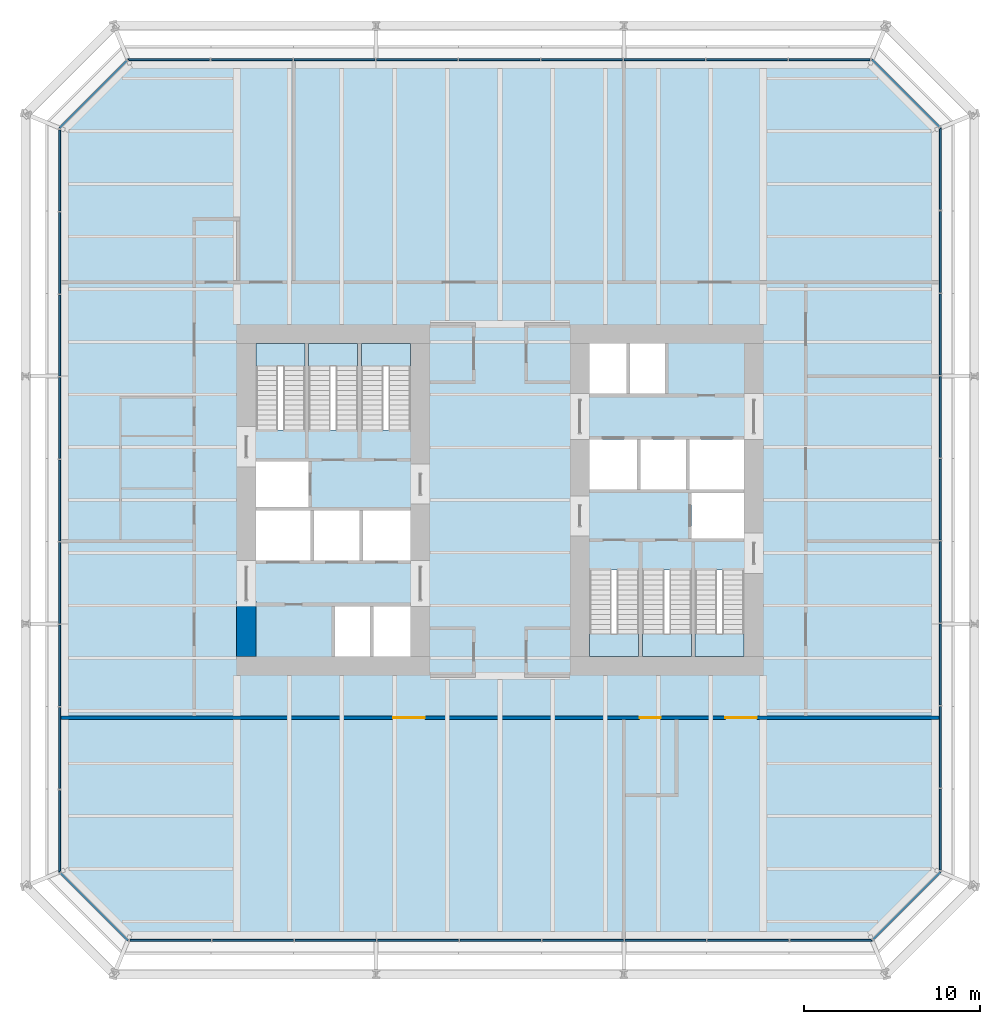
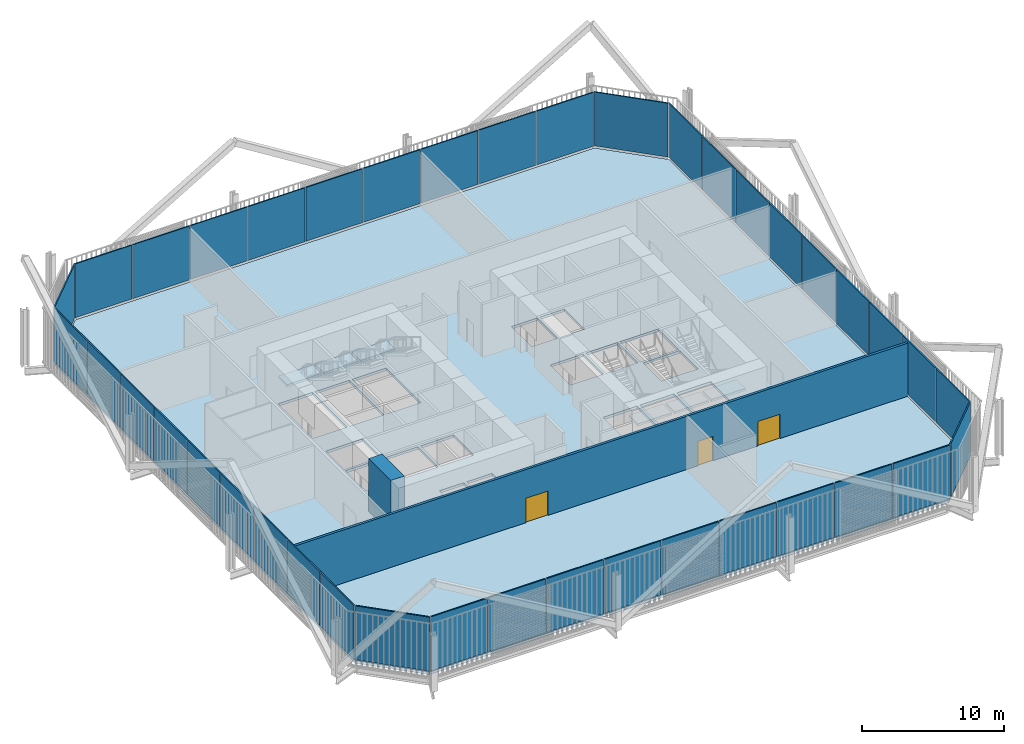
# One storey, part 17 of 22: 40 plates, 7 slabs, 3 doors, 2 walls, 3 openings, 14 elements without a shape of their own.
"""IFC4 building model written with IfcOpenShell, lengths in metres."""

from ifc_helpers import new_model, si_unit, direction, frame, frame_2d, origin, place, context, subcontext, project, spatial, polyline, rectangle, outline, extrude, material, layer, layer_set, type_object, element, fill, aggregate, save


model = new_model("IFC4")

# Units and contexts
model_context = context("Model", 3, precision=1e-05, world=origin(), true_north=direction((0.0, 1.0)))
body_context = subcontext(model_context, "Body", "Model", "MODEL_VIEW")
ifc_project = project(units=[si_unit("LENGTHUNIT", "METRE"), si_unit("AREAUNIT", "SQUARE_METRE"), si_unit("VOLUMEUNIT", "CUBIC_METRE"), si_unit("PLANEANGLEUNIT", "RADIAN"), si_unit("MASSUNIT", "GRAM", prefix="KILO")], contexts=[model_context])

# Site, building, storey
site_placement = place(None, origin())
site = spatial("IfcSite", under=ifc_project, at=site_placement, CompositionType="ELEMENT")
building_placement = place(site_placement, origin())
building = spatial("IfcBuilding", under=site, at=building_placement, Name="Millrace Tower", CompositionType="ELEMENT")
storey_placement = place(building_placement, frame((0.0, 0.0, 54.5)))
storey = spatial("IfcBuildingStorey", under=building, at=storey_placement, Name="L12", CompositionType="ELEMENT", Elevation=54.5)

# Curtain wall, plate
ifc_material_1 = material(Name="Aluminium and glass", Category="aluminium")
ifc_layer_1 = layer(ifc_material_1, 0.14990234375)
ifc_layer_set_1 = layer_set([ifc_layer_1], Name="Aluminium and glass")
curtain_wall_type = type_object("IfcCurtainWallType", Name="CW-2 data hall insulated curtain wall", PredefinedType="NOTDEFINED", material=ifc_layer_set_1)
placement_1 = place(storey_placement, origin())
curtain_wall_1 = element("IfcCurtainWall", 1, at=placement_1, inside=storey, type_object=curtain_wall_type, Name="Curtain wall A-F01 L12", PredefinedType="NOTDEFINED")
ifc_material_2 = material(Name="Glass", Category="glass")
ifc_layer_2 = layer(ifc_material_2, 0.10009765625)
ifc_layer_set_2 = layer_set([ifc_layer_2], Name="Glass")
plate_type = type_object("IfcPlateType", Name="CW-2 data hall insulated curtain wall insulated cassette with vision slot", PredefinedType="CURTAIN_PANEL", material=ifc_layer_set_2)
placement_2 = place(storey_placement, frame((0.0, 0.0, 0.159912109375)))
plate_1 = element("IfcPlate", 2, at=placement_2, type_object=plate_type, Name="CW2 panel A-F01.1", PredefinedType="CURTAIN_PANEL", context=body_context, shape_type="SweptSolid", body=[
    extrude(outline(polyline([(-25.04248046875, -21.284423828125), (-21.20166015625, -25.125), (-21.160400390625, -25.02490234375), (-24.9716796875, -21.213623046875), (-25.04248046875, -21.284423828125)])), origin(), (0.0, 0.0, 1.0), 4.64013671875),
])
aggregate(curtain_wall_1, [plate_1])

# Curtain wall, plates
curtain_wall_2 = element("IfcCurtainWall", 3, at=placement_1, inside=storey, type_object=curtain_wall_type, Name="Curtain wall A-F02 L12", PredefinedType="NOTDEFINED")
plate_2 = element("IfcPlate", 4, at=placement_2, type_object=plate_type, Name="CW2 panel A-F02.1", PredefinedType="CURTAIN_PANEL", context=body_context, shape_type="SweptSolid", body=[
    extrude(outline(polyline([(-21.0849609375, -25.125), (-16.449951171875, -25.125), (-16.449951171875, -25.02490234375), (-21.0849609375, -25.02490234375), (-21.0849609375, -25.125)])), origin(), (0.0, 0.0, 1.0), 4.64013671875),
])
plate_3 = element("IfcPlate", 5, at=placement_2, type_object=plate_type, Name="CW2 panel A-F02.2", PredefinedType="CURTAIN_PANEL", context=body_context, shape_type="SweptSolid", body=[
    extrude(outline(polyline([(-16.385009765625, -25.125), (-11.75, -25.125), (-11.75, -25.02490234375), (-16.385009765625, -25.02490234375), (-16.385009765625, -25.125)])), origin(), (0.0, 0.0, 1.0), 4.64013671875),
])
plate_4 = element("IfcPlate", 6, at=placement_2, type_object=plate_type, Name="CW2 panel A-F02.3", PredefinedType="CURTAIN_PANEL", context=body_context, shape_type="SweptSolid", body=[
    extrude(outline(polyline([(-11.68505859375, -25.125), (-7.050048828125, -25.125), (-7.050048828125, -25.02490234375), (-11.68505859375, -25.02490234375), (-11.68505859375, -25.125)])), origin(), (0.0, 0.0, 1.0), 4.64013671875),
])
plate_5 = element("IfcPlate", 7, at=placement_2, type_object=plate_type, Name="CW2 panel A-F02.4", PredefinedType="CURTAIN_PANEL", context=body_context, shape_type="SweptSolid", body=[
    extrude(outline(polyline([(-6.985107421875, -25.125), (-2.35009765625, -25.125), (-2.35009765625, -25.02490234375), (-6.985107421875, -25.02490234375), (-6.985107421875, -25.125)])), origin(), (0.0, 0.0, 1.0), 4.64013671875),
])
plate_6 = element("IfcPlate", 8, at=placement_2, type_object=plate_type, Name="CW2 panel A-F02.5", PredefinedType="CURTAIN_PANEL", context=body_context, shape_type="SweptSolid", body=[
    extrude(outline(polyline([(-2.284912109375, -25.125), (2.35009765625, -25.125), (2.35009765625, -25.02490234375), (-2.284912109375, -25.02490234375), (-2.284912109375, -25.125)])), origin(), (0.0, 0.0, 1.0), 4.64013671875),
])
plate_7 = element("IfcPlate", 9, at=placement_2, type_object=plate_type, Name="CW2 panel A-F02.6", PredefinedType="CURTAIN_PANEL", context=body_context, shape_type="SweptSolid", body=[
    extrude(outline(polyline([(2.4150390625, -25.125), (7.050048828125, -25.125), (7.050048828125, -25.02490234375), (2.4150390625, -25.02490234375), (2.4150390625, -25.125)])), origin(), (0.0, 0.0, 1.0), 4.64013671875),
])
plate_8 = element("IfcPlate", 10, at=placement_2, type_object=plate_type, Name="CW2 panel A-F02.7", PredefinedType="CURTAIN_PANEL", context=body_context, shape_type="SweptSolid", body=[
    extrude(outline(polyline([(7.114990234375, -25.125), (11.75, -25.125), (11.75, -25.02490234375), (7.114990234375, -25.02490234375), (7.114990234375, -25.125)])), origin(), (0.0, 0.0, 1.0), 4.64013671875),
])
plate_9 = element("IfcPlate", 11, at=placement_2, type_object=plate_type, Name="CW2 panel A-F02.8", PredefinedType="CURTAIN_PANEL", context=body_context, shape_type="SweptSolid", body=[
    extrude(outline(polyline([(11.81494140625, -25.125), (16.449951171875, -25.125), (16.449951171875, -25.02490234375), (11.81494140625, -25.02490234375), (11.81494140625, -25.125)])), origin(), (0.0, 0.0, 1.0), 4.64013671875),
])
plate_10 = element("IfcPlate", 12, at=placement_2, type_object=plate_type, Name="CW2 panel A-F02.9", PredefinedType="CURTAIN_PANEL", context=body_context, shape_type="SweptSolid", body=[
    extrude(outline(polyline([(16.514892578125, -25.125), (21.20166015625, -25.125), (21.160400390625, -25.02490234375), (16.514892578125, -25.02490234375), (16.514892578125, -25.125)])), origin(), (0.0, 0.0, 1.0), 4.64013671875),
])
aggregate(curtain_wall_2, [plate_2, plate_3, plate_4, plate_5, plate_6, plate_7, plate_8, plate_9, plate_10])

# Curtain wall, plate
curtain_wall_3 = element("IfcCurtainWall", 13, at=placement_1, inside=storey, type_object=curtain_wall_type, Name="Curtain wall A-F03 L12", PredefinedType="NOTDEFINED")
plate_11 = element("IfcPlate", 14, at=placement_2, type_object=plate_type, Name="CW2 panel A-F03.1", PredefinedType="CURTAIN_PANEL", context=body_context, shape_type="SweptSolid", body=[
    extrude(outline(polyline([(21.284423828125, -25.04248046875), (25.125, -21.20166015625), (25.02490234375, -21.160400390625), (21.213623046875, -24.9716796875), (21.284423828125, -25.04248046875)])), origin(), (0.0, 0.0, 1.0), 4.64013671875),
])
aggregate(curtain_wall_3, [plate_11])

# Curtain wall, plates
curtain_wall_4 = element("IfcCurtainWall", 15, at=placement_1, inside=storey, type_object=curtain_wall_type, Name="Curtain wall A-F04 L12", PredefinedType="NOTDEFINED")
plate_12 = element("IfcPlate", 16, at=placement_2, type_object=plate_type, Name="CW2 panel A-F04.1", PredefinedType="CURTAIN_PANEL", context=body_context, shape_type="SweptSolid", body=[
    extrude(outline(polyline([(25.125, -21.0849609375), (25.125, -16.449951171875), (25.02490234375, -16.449951171875), (25.02490234375, -21.0849609375), (25.125, -21.0849609375)])), origin(), (0.0, 0.0, 1.0), 4.64013671875),
])
plate_13 = element("IfcPlate", 17, at=placement_2, type_object=plate_type, Name="CW2 panel A-F04.2", PredefinedType="CURTAIN_PANEL", context=body_context, shape_type="SweptSolid", body=[
    extrude(outline(polyline([(25.125, -16.385009765625), (25.125, -11.75), (25.02490234375, -11.75), (25.02490234375, -16.385009765625), (25.125, -16.385009765625)])), origin(), (0.0, 0.0, 1.0), 4.64013671875),
])
plate_14 = element("IfcPlate", 18, at=placement_2, type_object=plate_type, Name="CW2 panel A-F04.3", PredefinedType="CURTAIN_PANEL", context=body_context, shape_type="SweptSolid", body=[
    extrude(outline(polyline([(25.125, -11.68505859375), (25.125, -7.050048828125), (25.02490234375, -7.050048828125), (25.02490234375, -11.68505859375), (25.125, -11.68505859375)])), origin(), (0.0, 0.0, 1.0), 4.64013671875),
])
plate_15 = element("IfcPlate", 19, at=placement_2, type_object=plate_type, Name="CW2 panel A-F04.4", PredefinedType="CURTAIN_PANEL", context=body_context, shape_type="SweptSolid", body=[
    extrude(outline(polyline([(25.125, -6.985107421875), (25.125, -2.35009765625), (25.02490234375, -2.35009765625), (25.02490234375, -6.985107421875), (25.125, -6.985107421875)])), origin(), (0.0, 0.0, 1.0), 4.64013671875),
])
plate_16 = element("IfcPlate", 20, at=placement_2, type_object=plate_type, Name="CW2 panel A-F04.5", PredefinedType="CURTAIN_PANEL", context=body_context, shape_type="SweptSolid", body=[
    extrude(outline(polyline([(25.125, -2.284912109375), (25.125, 2.35009765625), (25.02490234375, 2.35009765625), (25.02490234375, -2.284912109375), (25.125, -2.284912109375)])), origin(), (0.0, 0.0, 1.0), 4.64013671875),
])
plate_17 = element("IfcPlate", 21, at=placement_2, type_object=plate_type, Name="CW2 panel A-F04.6", PredefinedType="CURTAIN_PANEL", context=body_context, shape_type="SweptSolid", body=[
    extrude(outline(polyline([(25.125, 2.4150390625), (25.125, 7.050048828125), (25.02490234375, 7.050048828125), (25.02490234375, 2.4150390625), (25.125, 2.4150390625)])), origin(), (0.0, 0.0, 1.0), 4.64013671875),
])
plate_18 = element("IfcPlate", 22, at=placement_2, type_object=plate_type, Name="CW2 panel A-F04.7", PredefinedType="CURTAIN_PANEL", context=body_context, shape_type="SweptSolid", body=[
    extrude(outline(polyline([(25.125, 7.114990234375), (25.125, 11.75), (25.02490234375, 11.75), (25.02490234375, 7.114990234375), (25.125, 7.114990234375)])), origin(), (0.0, 0.0, 1.0), 4.64013671875),
])
plate_19 = element("IfcPlate", 23, at=placement_2, type_object=plate_type, Name="CW2 panel A-F04.8", PredefinedType="CURTAIN_PANEL", context=body_context, shape_type="SweptSolid", body=[
    extrude(outline(polyline([(25.125, 11.81494140625), (25.125, 16.449951171875), (25.02490234375, 16.449951171875), (25.02490234375, 11.81494140625), (25.125, 11.81494140625)])), origin(), (0.0, 0.0, 1.0), 4.64013671875),
])
plate_20 = element("IfcPlate", 24, at=placement_2, type_object=plate_type, Name="CW2 panel A-F04.9", PredefinedType="CURTAIN_PANEL", context=body_context, shape_type="SweptSolid", body=[
    extrude(outline(polyline([(25.125, 16.514892578125), (25.125, 21.20166015625), (25.02490234375, 21.160400390625), (25.02490234375, 16.514892578125), (25.125, 16.514892578125)])), origin(), (0.0, 0.0, 1.0), 4.64013671875),
])
aggregate(curtain_wall_4, [plate_12, plate_13, plate_14, plate_15, plate_16, plate_17, plate_18, plate_19, plate_20])

# Curtain wall, plate
curtain_wall_5 = element("IfcCurtainWall", 25, at=placement_1, inside=storey, type_object=curtain_wall_type, Name="Curtain wall A-F05 L12", PredefinedType="NOTDEFINED")
plate_21 = element("IfcPlate", 26, at=placement_2, type_object=plate_type, Name="CW2 panel A-F05.1", PredefinedType="CURTAIN_PANEL", context=body_context, shape_type="SweptSolid", body=[
    extrude(outline(polyline([(25.04248046875, 21.284423828125), (21.20166015625, 25.125), (21.160400390625, 25.02490234375), (24.9716796875, 21.213623046875), (25.04248046875, 21.284423828125)])), origin(), (0.0, 0.0, 1.0), 4.64013671875),
])
aggregate(curtain_wall_5, [plate_21])

# Curtain wall, plates
curtain_wall_6 = element("IfcCurtainWall", 27, at=placement_1, inside=storey, type_object=curtain_wall_type, Name="Curtain wall A-F06 L12", PredefinedType="NOTDEFINED")
plate_22 = element("IfcPlate", 28, at=placement_2, type_object=plate_type, Name="CW2 panel A-F06.1", PredefinedType="CURTAIN_PANEL", context=body_context, shape_type="SweptSolid", body=[
    extrude(outline(polyline([(21.0849609375, 25.125), (16.449951171875, 25.125), (16.449951171875, 25.02490234375), (21.0849609375, 25.02490234375), (21.0849609375, 25.125)])), origin(), (0.0, 0.0, 1.0), 4.64013671875),
])
plate_23 = element("IfcPlate", 29, at=placement_2, type_object=plate_type, Name="CW2 panel A-F06.2", PredefinedType="CURTAIN_PANEL", context=body_context, shape_type="SweptSolid", body=[
    extrude(outline(polyline([(16.385009765625, 25.125), (11.75, 25.125), (11.75, 25.02490234375), (16.385009765625, 25.02490234375), (16.385009765625, 25.125)])), origin(), (0.0, 0.0, 1.0), 4.64013671875),
])
plate_24 = element("IfcPlate", 30, at=placement_2, type_object=plate_type, Name="CW2 panel A-F06.3", PredefinedType="CURTAIN_PANEL", context=body_context, shape_type="SweptSolid", body=[
    extrude(outline(polyline([(11.68505859375, 25.125), (7.050048828125, 25.125), (7.050048828125, 25.02490234375), (11.68505859375, 25.02490234375), (11.68505859375, 25.125)])), origin(), (0.0, 0.0, 1.0), 4.64013671875),
])
plate_25 = element("IfcPlate", 31, at=placement_2, type_object=plate_type, Name="CW2 panel A-F06.4", PredefinedType="CURTAIN_PANEL", context=body_context, shape_type="SweptSolid", body=[
    extrude(outline(polyline([(6.985107421875, 25.125), (2.35009765625, 25.125), (2.35009765625, 25.02490234375), (6.985107421875, 25.02490234375), (6.985107421875, 25.125)])), origin(), (0.0, 0.0, 1.0), 4.64013671875),
])
plate_26 = element("IfcPlate", 32, at=placement_2, type_object=plate_type, Name="CW2 panel A-F06.5", PredefinedType="CURTAIN_PANEL", context=body_context, shape_type="SweptSolid", body=[
    extrude(outline(polyline([(2.284912109375, 25.125), (-2.35009765625, 25.125), (-2.35009765625, 25.02490234375), (2.284912109375, 25.02490234375), (2.284912109375, 25.125)])), origin(), (0.0, 0.0, 1.0), 4.64013671875),
])
plate_27 = element("IfcPlate", 33, at=placement_2, type_object=plate_type, Name="CW2 panel A-F06.6", PredefinedType="CURTAIN_PANEL", context=body_context, shape_type="SweptSolid", body=[
    extrude(outline(polyline([(-2.4150390625, 25.125), (-7.050048828125, 25.125), (-7.050048828125, 25.02490234375), (-2.4150390625, 25.02490234375), (-2.4150390625, 25.125)])), origin(), (0.0, 0.0, 1.0), 4.64013671875),
])
plate_28 = element("IfcPlate", 34, at=placement_2, type_object=plate_type, Name="CW2 panel A-F06.7", PredefinedType="CURTAIN_PANEL", context=body_context, shape_type="SweptSolid", body=[
    extrude(outline(polyline([(-7.114990234375, 25.125), (-11.75, 25.125), (-11.75, 25.02490234375), (-7.114990234375, 25.02490234375), (-7.114990234375, 25.125)])), origin(), (0.0, 0.0, 1.0), 4.64013671875),
])
plate_29 = element("IfcPlate", 35, at=placement_2, type_object=plate_type, Name="CW2 panel A-F06.8", PredefinedType="CURTAIN_PANEL", context=body_context, shape_type="SweptSolid", body=[
    extrude(outline(polyline([(-11.81494140625, 25.125), (-16.449951171875, 25.125), (-16.449951171875, 25.02490234375), (-11.81494140625, 25.02490234375), (-11.81494140625, 25.125)])), origin(), (0.0, 0.0, 1.0), 4.64013671875),
])
plate_30 = element("IfcPlate", 36, at=placement_2, type_object=plate_type, Name="CW2 panel A-F06.9", PredefinedType="CURTAIN_PANEL", context=body_context, shape_type="SweptSolid", body=[
    extrude(outline(polyline([(-16.514892578125, 25.125), (-21.20166015625, 25.125), (-21.160400390625, 25.02490234375), (-16.514892578125, 25.02490234375), (-16.514892578125, 25.125)])), origin(), (0.0, 0.0, 1.0), 4.64013671875),
])
aggregate(curtain_wall_6, [plate_22, plate_23, plate_24, plate_25, plate_26, plate_27, plate_28, plate_29, plate_30])

# Curtain wall, plate
curtain_wall_7 = element("IfcCurtainWall", 37, at=placement_1, inside=storey, type_object=curtain_wall_type, Name="Curtain wall A-F07 L12", PredefinedType="NOTDEFINED")
plate_31 = element("IfcPlate", 38, at=placement_2, type_object=plate_type, Name="CW2 panel A-F07.1", PredefinedType="CURTAIN_PANEL", context=body_context, shape_type="SweptSolid", body=[
    extrude(outline(polyline([(-21.284423828125, 25.04248046875), (-25.125, 21.20166015625), (-25.02490234375, 21.160400390625), (-21.213623046875, 24.9716796875), (-21.284423828125, 25.04248046875)])), origin(), (0.0, 0.0, 1.0), 4.64013671875),
])
aggregate(curtain_wall_7, [plate_31])

# Curtain wall, plates
curtain_wall_8 = element("IfcCurtainWall", 39, at=placement_1, inside=storey, type_object=curtain_wall_type, Name="Curtain wall A-F08 L12", PredefinedType="NOTDEFINED")
plate_32 = element("IfcPlate", 40, at=placement_2, type_object=plate_type, Name="CW2 panel A-F08.1", PredefinedType="CURTAIN_PANEL", context=body_context, shape_type="SweptSolid", body=[
    extrude(outline(polyline([(-25.125, 21.0849609375), (-25.125, 16.449951171875), (-25.02490234375, 16.449951171875), (-25.02490234375, 21.0849609375), (-25.125, 21.0849609375)])), origin(), (0.0, 0.0, 1.0), 4.64013671875),
])
plate_33 = element("IfcPlate", 41, at=placement_2, type_object=plate_type, Name="CW2 panel A-F08.2", PredefinedType="CURTAIN_PANEL", context=body_context, shape_type="SweptSolid", body=[
    extrude(outline(polyline([(-25.125, 16.385009765625), (-25.125, 11.75), (-25.02490234375, 11.75), (-25.02490234375, 16.385009765625), (-25.125, 16.385009765625)])), origin(), (0.0, 0.0, 1.0), 4.64013671875),
])
plate_34 = element("IfcPlate", 42, at=placement_2, type_object=plate_type, Name="CW2 panel A-F08.3", PredefinedType="CURTAIN_PANEL", context=body_context, shape_type="SweptSolid", body=[
    extrude(outline(polyline([(-25.125, 11.68505859375), (-25.125, 7.050048828125), (-25.02490234375, 7.050048828125), (-25.02490234375, 11.68505859375), (-25.125, 11.68505859375)])), origin(), (0.0, 0.0, 1.0), 4.64013671875),
])
plate_35 = element("IfcPlate", 43, at=placement_2, type_object=plate_type, Name="CW2 panel A-F08.4", PredefinedType="CURTAIN_PANEL", context=body_context, shape_type="SweptSolid", body=[
    extrude(outline(polyline([(-25.125, 6.985107421875), (-25.125, 2.35009765625), (-25.02490234375, 2.35009765625), (-25.02490234375, 6.985107421875), (-25.125, 6.985107421875)])), origin(), (0.0, 0.0, 1.0), 4.64013671875),
])
plate_36 = element("IfcPlate", 44, at=placement_2, type_object=plate_type, Name="CW2 panel A-F08.5", PredefinedType="CURTAIN_PANEL", context=body_context, shape_type="SweptSolid", body=[
    extrude(outline(polyline([(-25.125, 2.284912109375), (-25.125, -2.35009765625), (-25.02490234375, -2.35009765625), (-25.02490234375, 2.284912109375), (-25.125, 2.284912109375)])), origin(), (0.0, 0.0, 1.0), 4.64013671875),
])
plate_37 = element("IfcPlate", 45, at=placement_2, type_object=plate_type, Name="CW2 panel A-F08.6", PredefinedType="CURTAIN_PANEL", context=body_context, shape_type="SweptSolid", body=[
    extrude(outline(polyline([(-25.125, -2.4150390625), (-25.125, -7.050048828125), (-25.02490234375, -7.050048828125), (-25.02490234375, -2.4150390625), (-25.125, -2.4150390625)])), origin(), (0.0, 0.0, 1.0), 4.64013671875),
])
plate_38 = element("IfcPlate", 46, at=placement_2, type_object=plate_type, Name="CW2 panel A-F08.7", PredefinedType="CURTAIN_PANEL", context=body_context, shape_type="SweptSolid", body=[
    extrude(outline(polyline([(-25.125, -7.114990234375), (-25.125, -11.75), (-25.02490234375, -11.75), (-25.02490234375, -7.114990234375), (-25.125, -7.114990234375)])), origin(), (0.0, 0.0, 1.0), 4.64013671875),
])
plate_39 = element("IfcPlate", 47, at=placement_2, type_object=plate_type, Name="CW2 panel A-F08.8", PredefinedType="CURTAIN_PANEL", context=body_context, shape_type="SweptSolid", body=[
    extrude(outline(polyline([(-25.125, -11.81494140625), (-25.125, -16.449951171875), (-25.02490234375, -16.449951171875), (-25.02490234375, -11.81494140625), (-25.125, -11.81494140625)])), origin(), (0.0, 0.0, 1.0), 4.64013671875),
])
plate_40 = element("IfcPlate", 48, at=placement_2, type_object=plate_type, Name="CW2 panel A-F08.9", PredefinedType="CURTAIN_PANEL", context=body_context, shape_type="SweptSolid", body=[
    extrude(outline(polyline([(-25.125, -16.514892578125), (-25.125, -21.20166015625), (-25.02490234375, -21.160400390625), (-25.02490234375, -16.514892578125), (-25.125, -16.514892578125)])), origin(), (0.0, 0.0, 1.0), 4.64013671875),
])
aggregate(curtain_wall_8, [plate_32, plate_33, plate_34, plate_35, plate_36, plate_37, plate_38, plate_39, plate_40])

# Slab
ifc_material_3 = material(Name="Concrete C35 on steel deck", Category="concrete")
ifc_layer_3 = layer(ifc_material_3, 0.22509765625)
ifc_layer_set_3 = layer_set([ifc_layer_3], Name="Concrete C35 on steel deck")
slab_type_1 = type_object("IfcSlabType", Name="Composite floor slab 225 mm", PredefinedType="FLOOR", material=ifc_layer_set_3)
slab_1_placement = place(storey_placement, frame((0.0, 0.0, -0.22509765625)))
element("IfcSlab", 49, at=slab_1_placement, inside=storey, type_object=slab_type_1, Name="SL-A-L12-S1", PredefinedType="FLOOR", context=body_context, shape_type="SweptSolid", body=[
    extrude(outline(polyline([(-25.0, -21.14990234375), (-21.14990234375, -25.0), (21.14990234375, -25.0), (25.0, -21.14990234375), (25.0, 21.14990234375), (21.14990234375, 25.0), (-21.14990234375, 25.0), (-25.0, 21.14990234375), (-25.0, -21.14990234375)]), holes=[polyline([(-9.39990234375, -8.89990234375), (-7.39990234375, -8.89990234375), (-7.39990234375, -6.050048828125), (-9.39990234375, -6.050048828125), (-9.39990234375, -8.89990234375)]), polyline([(-7.199951171875, -8.89990234375), (-5.10009765625, -8.89990234375), (-5.10009765625, -6.050048828125), (-7.199951171875, -6.050048828125), (-7.199951171875, -8.89990234375)]), polyline([(-13.89990234375, -3.449951171875), (-10.800048828125, -3.449951171875), (-10.800048828125, -0.60009765625), (-13.89990234375, -0.60009765625), (-13.89990234375, -3.449951171875)]), polyline([(-10.60009765625, -3.449951171875), (-8.0, -3.449951171875), (-8.0, -0.60009765625), (-10.60009765625, -0.60009765625), (-10.60009765625, -3.449951171875)]), polyline([(-7.800048828125, -3.449951171875), (-5.10009765625, -3.449951171875), (-5.10009765625, -0.60009765625), (-7.800048828125, -0.60009765625), (-7.800048828125, -3.449951171875)]), polyline([(-13.89990234375, -0.39990234375), (-10.89990234375, -0.39990234375), (-10.89990234375, 2.179931640625), (-13.89990234375, 2.179931640625), (-13.89990234375, -0.39990234375)]), polyline([(-13.89990234375, 4.0), (-11.10009765625, 4.0), (-11.10009765625, 8.89990234375), (-13.89990234375, 8.89990234375), (-13.89990234375, 4.0)]), polyline([(-10.89990234375, 4.0), (-8.10009765625, 4.0), (-8.10009765625, 8.89990234375), (-10.89990234375, 8.89990234375), (-10.89990234375, 4.0)]), polyline([(-7.89990234375, 4.0), (-5.10009765625, 4.0), (-5.10009765625, 8.89990234375), (-7.89990234375, 8.89990234375), (-7.89990234375, 4.0)]), polyline([(7.39990234375, 6.050048828125), (9.39990234375, 6.050048828125), (9.39990234375, 8.89990234375), (7.39990234375, 8.89990234375), (7.39990234375, 6.050048828125)]), polyline([(5.10009765625, 6.050048828125), (7.199951171875, 6.050048828125), (7.199951171875, 8.89990234375), (5.10009765625, 8.89990234375), (5.10009765625, 6.050048828125)]), polyline([(10.800048828125, 0.60009765625), (13.89990234375, 0.60009765625), (13.89990234375, 3.449951171875), (10.800048828125, 3.449951171875), (10.800048828125, 0.60009765625)]), polyline([(8.0, 0.60009765625), (10.60009765625, 0.60009765625), (10.60009765625, 3.449951171875), (8.0, 3.449951171875), (8.0, 0.60009765625)]), polyline([(5.10009765625, 0.60009765625), (7.800048828125, 0.60009765625), (7.800048828125, 3.449951171875), (5.10009765625, 3.449951171875), (5.10009765625, 0.60009765625)]), polyline([(10.89990234375, -2.179931640625), (13.89990234375, -2.179931640625), (13.89990234375, 0.39990234375), (10.89990234375, 0.39990234375), (10.89990234375, -2.179931640625)]), polyline([(11.10009765625, -8.89990234375), (13.89990234375, -8.89990234375), (13.89990234375, -4.0), (11.10009765625, -4.0), (11.10009765625, -8.89990234375)]), polyline([(8.10009765625, -8.89990234375), (10.89990234375, -8.89990234375), (10.89990234375, -4.0), (8.10009765625, -4.0), (8.10009765625, -8.89990234375)]), polyline([(5.10009765625, -8.89990234375), (7.89990234375, -8.89990234375), (7.89990234375, -4.0), (5.10009765625, -4.0), (5.10009765625, -8.89990234375)])]), origin(), (0.0, 0.0, 1.0), 0.22509765625),
])

# Stair, slab
ifc_material_4 = material(Name="Concrete C35", Category="concrete")
stair_type = type_object("IfcStairType", Name="Exit stair", PredefinedType="HALF_TURN_STAIR", material=ifc_material_4)
stair_1 = element("IfcStair", 50, at=placement_1, inside=storey, type_object=stair_type, Name="Stair 1 W L12", PredefinedType="HALF_TURN_STAIR")
ifc_material_5 = material(Name="Concrete C40", Category="concrete")
ifc_layer_4 = layer(ifc_material_5, 0.199951171875)
ifc_layer_set_4 = layer_set([ifc_layer_4], Name="Concrete C40")
slab_type_2 = type_object("IfcSlabType", Name="Stair landing", PredefinedType="LANDING", material=ifc_layer_set_4)
placement_3 = place(storey_placement, frame((0.0, 0.0, 2.199951171875)))
slab_2 = element("IfcSlab", 51, at=placement_3, type_object=slab_type_2, Name="ST12 landing 1", PredefinedType="LANDING", context=body_context, shape_type="SweptSolid", body=[
    extrude(outline(polyline([(-13.89990234375, 7.639892578125), (-11.10009765625, 7.639892578125), (-11.10009765625, 8.89990234375), (-13.89990234375, 8.89990234375), (-13.89990234375, 7.639892578125)])), origin(), (0.0, 0.0, 1.0), 0.199951171875),
])
aggregate(stair_1, [slab_2])

stair_2 = element("IfcStair", 52, at=placement_1, inside=storey, type_object=stair_type, Name="Stair 2 W L12", PredefinedType="HALF_TURN_STAIR")
slab_3 = element("IfcSlab", 53, at=placement_3, type_object=slab_type_2, Name="ST12 landing 1", PredefinedType="LANDING", context=body_context, shape_type="SweptSolid", body=[
    extrude(outline(polyline([(-10.89990234375, 7.639892578125), (-8.10009765625, 7.639892578125), (-8.10009765625, 8.89990234375), (-10.89990234375, 8.89990234375), (-10.89990234375, 7.639892578125)])), origin(), (0.0, 0.0, 1.0), 0.199951171875),
])
aggregate(stair_2, [slab_3])

stair_3 = element("IfcStair", 54, at=placement_1, inside=storey, type_object=stair_type, Name="Stair 3 W L12", PredefinedType="HALF_TURN_STAIR")
slab_4 = element("IfcSlab", 55, at=placement_3, type_object=slab_type_2, Name="ST12 landing 1", PredefinedType="LANDING", context=body_context, shape_type="SweptSolid", body=[
    extrude(outline(polyline([(-7.89990234375, 7.639892578125), (-5.10009765625, 7.639892578125), (-5.10009765625, 8.89990234375), (-7.89990234375, 8.89990234375), (-7.89990234375, 7.639892578125)])), origin(), (0.0, 0.0, 1.0), 0.199951171875),
])
aggregate(stair_3, [slab_4])

stair_4 = element("IfcStair", 56, at=placement_1, inside=storey, type_object=stair_type, Name="Stair 1 E L12", PredefinedType="HALF_TURN_STAIR")
slab_5 = element("IfcSlab", 57, at=placement_3, type_object=slab_type_2, Name="ST12 landing 1", PredefinedType="LANDING", context=body_context, shape_type="SweptSolid", body=[
    extrude(outline(polyline([(11.10009765625, -8.89990234375), (13.89990234375, -8.89990234375), (13.89990234375, -7.639892578125), (11.10009765625, -7.639892578125), (11.10009765625, -8.89990234375)])), origin(), (0.0, 0.0, 1.0), 0.199951171875),
])
aggregate(stair_4, [slab_5])

stair_5 = element("IfcStair", 58, at=placement_1, inside=storey, type_object=stair_type, Name="Stair 2 E L12", PredefinedType="HALF_TURN_STAIR")
slab_6 = element("IfcSlab", 59, at=placement_3, type_object=slab_type_2, Name="ST12 landing 1", PredefinedType="LANDING", context=body_context, shape_type="SweptSolid", body=[
    extrude(outline(polyline([(8.10009765625, -8.89990234375), (10.89990234375, -8.89990234375), (10.89990234375, -7.639892578125), (8.10009765625, -7.639892578125), (8.10009765625, -8.89990234375)])), origin(), (0.0, 0.0, 1.0), 0.199951171875),
])
aggregate(stair_5, [slab_6])

stair_6 = element("IfcStair", 60, at=placement_1, inside=storey, type_object=stair_type, Name="Stair 3 E L12", PredefinedType="HALF_TURN_STAIR")
slab_7 = element("IfcSlab", 61, at=placement_3, type_object=slab_type_2, Name="ST12 landing 1", PredefinedType="LANDING", context=body_context, shape_type="SweptSolid", body=[
    extrude(outline(polyline([(5.10009765625, -8.89990234375), (7.89990234375, -8.89990234375), (7.89990234375, -7.639892578125), (5.10009765625, -7.639892578125), (5.10009765625, -8.89990234375)])), origin(), (0.0, 0.0, 1.0), 0.199951171875),
])
aggregate(stair_6, [slab_7])

# Wall
ifc_material_6 = material(Name="Concrete C80", Category="concrete")
ifc_layer_5 = layer(ifc_material_6, 1.10009765625)
ifc_layer_set_5 = layer_set([ifc_layer_5], Name="Concrete C80")
wall_type_1 = type_object("IfcWallType", Name="Core wall 1100 Concrete C80", PredefinedType="SHEAR", material=ifc_layer_set_5)
wall_1_placement = place(storey_placement, frame((-14.449951171875, -8.89990234375, 0.0), z_axis=(0.0, 0.0, 1.0), x_axis=(0.0, 1.0, 0.0)))
element("IfcWall", 62, at=wall_1_placement, inside=storey, type_object=wall_type_1, Name="Core wall W L12", PredefinedType="SHEAR", context=body_context, shape_type="SweptSolid", body=[
    extrude(rectangle(XDim=3.14990234375, YDim=1.10009765625, at=frame_2d((1.574951171875, 0.0))), origin(), (0.0, 0.0, 1.0), 4.574951171875),
])

# Wall, openings, doors
ifc_material_7 = material(Name="Masonry partition, fire-rated", Category="masonry")
ifc_layer_6 = layer(ifc_material_7, 0.199951171875)
ifc_layer_set_6 = layer_set([ifc_layer_6], Name="Masonry partition, fire-rated")
wall_type_2 = type_object("IfcWallType", Name="Corridor wall 200", PredefinedType="PARTITIONING", material=ifc_layer_set_6)
wall_2_placement = place(storey_placement, frame((-25.030029296875, -12.39990234375, 0.0), z_axis=(0.0, 0.0, 1.0), x_axis=(1.0, 0.0, 0.0)))
wall_2 = element("IfcWall", 63, at=wall_2_placement, inside=storey, type_object=wall_type_2, Name="Corridor wall L12", PredefinedType="PARTITIONING", context=body_context, shape_type="SweptSolid", body=[
    extrude(rectangle(XDim=50.06005859375, YDim=0.199951171875, at=frame_2d((25.030029296875, 0.0))), origin(), (0.0, 0.0, 1.0), 4.574951171875),
])
opening_1_placement = place(wall_2_placement, frame((18.949951171875, 0.0, 0.0)))
opening_1 = element("IfcOpeningElement", 64, at=opening_1_placement, cuts=wall_2, Name="Opening 12-P005", PredefinedType="OPENING", context=body_context, shape_type="SweptSolid", body=[
    extrude(rectangle(XDim=1.800048828125, YDim=2.10009765625, at=frame_2d((0.89990234375, 1.050048828125))), frame((0.0, 0.10986328125, 0.0), z_axis=(0.0, -1.0, 0.0), x_axis=(1.0, 0.0, 0.0)), (0.0, 0.0, 1.0), 0.219970703125),
])
opening_2_placement = place(wall_2_placement, frame((37.860107421875, 0.0, 0.0)))
opening_2 = element("IfcOpeningElement", 65, at=opening_2_placement, cuts=wall_2, Name="Opening 12-P006", PredefinedType="OPENING", context=body_context, shape_type="SweptSolid", body=[
    extrude(rectangle(XDim=1.800048828125, YDim=2.10009765625, at=frame_2d((0.89990234375, 1.050048828125))), frame((0.0, 0.10986328125, 0.0), z_axis=(0.0, -1.0, 0.0), x_axis=(1.0, 0.0, 0.0)), (0.0, 0.0, 1.0), 0.219970703125),
])
opening_3_placement = place(wall_2_placement, frame((32.97998046875, 0.0, 0.0)))
opening_3 = element("IfcOpeningElement", 66, at=opening_3_placement, cuts=wall_2, Name="Opening 12-P007", PredefinedType="OPENING", context=body_context, shape_type="SweptSolid", body=[
    extrude(rectangle(XDim=1.199951171875, YDim=2.10009765625, at=frame_2d((0.60009765625, 1.050048828125))), frame((0.0, 0.10986328125, 0.0), z_axis=(0.0, -1.0, 0.0), x_axis=(1.0, 0.0, 0.0)), (0.0, 0.0, 1.0), 0.219970703125),
])
ifc_material_8 = material(Name="Steel door set, fire-rated", Category="steel")
door_type_1 = type_object("IfcDoorType", Name="Corridor door 1200 x 2100", OperationType="SINGLE_SWING_LEFT", PredefinedType="DOOR", material=ifc_material_8)
door_1_placement = place(opening_3_placement, frame((1.199951171875, 0.0, 0.0), z_axis=(0.0, 0.0, 1.0), x_axis=(-1.0, 0.0, 0.0)))
door_1 = element("IfcDoor", 67, at=door_1_placement, inside=storey, type_object=door_type_1, Name="Door 12-P007", OperationType="SINGLE_SWING_LEFT", OverallHeight=2.10009765625, OverallWidth=1.199951171875, PredefinedType="DOOR", context=body_context, shape_type="SweptSolid", body=[
    extrude(rectangle(XDim=1.199951171875, YDim=2.10009765625, at=frame_2d((0.60009765625, 1.050048828125))), frame((0.0, 0.02490234375, 0.0), z_axis=(0.0, -1.0, 0.0), x_axis=(1.0, 0.0, 0.0)), (0.0, 0.0, 1.0), 0.050048828125),
])
fill(opening_3, door_1)
ifc_material_9 = material(Name="Steel door set, fire-rated", Category="steel")
door_type_2 = type_object("IfcDoorType", Name="Data hall door 1800 x 2100", OperationType="DOUBLE_DOOR_SINGLE_SWING", PredefinedType="DOOR", material=ifc_material_9)
door_2_placement = place(opening_1_placement, frame((1.800048828125, 0.0, 0.0), z_axis=(0.0, 0.0, 1.0), x_axis=(-1.0, 0.0, 0.0)))
door_2 = element("IfcDoor", 68, at=door_2_placement, inside=storey, type_object=door_type_2, Name="Door 12-P005", OperationType="DOUBLE_DOOR_SINGLE_SWING", OverallHeight=2.10009765625, OverallWidth=1.800048828125, PredefinedType="DOOR", context=body_context, shape_type="SweptSolid", body=[
    extrude(rectangle(XDim=1.800048828125, YDim=2.10009765625, at=frame_2d((0.89990234375, 1.050048828125))), frame((0.0, 0.02490234375, 0.0), z_axis=(0.0, -1.0, 0.0), x_axis=(1.0, 0.0, 0.0)), (0.0, 0.0, 1.0), 0.050048828125),
])
fill(opening_1, door_2)
door_3_placement = place(opening_2_placement, frame((1.800048828125, 0.0, 0.0), z_axis=(0.0, 0.0, 1.0), x_axis=(-1.0, 0.0, 0.0)))
door_3 = element("IfcDoor", 69, at=door_3_placement, inside=storey, type_object=door_type_2, Name="Door 12-P006", OperationType="DOUBLE_DOOR_SINGLE_SWING", OverallHeight=2.10009765625, OverallWidth=1.800048828125, PredefinedType="DOOR", context=body_context, shape_type="SweptSolid", body=[
    extrude(rectangle(XDim=1.800048828125, YDim=2.10009765625, at=frame_2d((0.89990234375, 1.050048828125))), frame((0.0, 0.02490234375, 0.0), z_axis=(0.0, -1.0, 0.0), x_axis=(1.0, 0.0, 0.0)), (0.0, 0.0, 1.0), 0.050048828125),
])
fill(opening_2, door_3)

save(model, "model.ifc")
